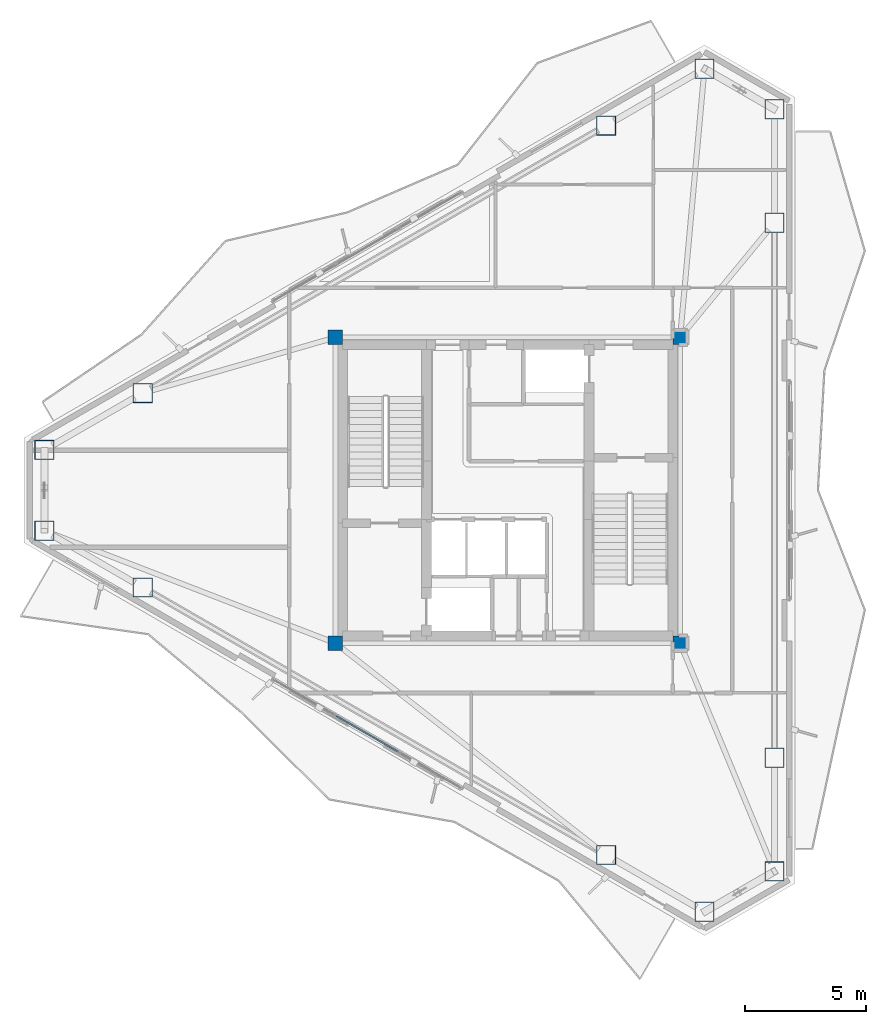
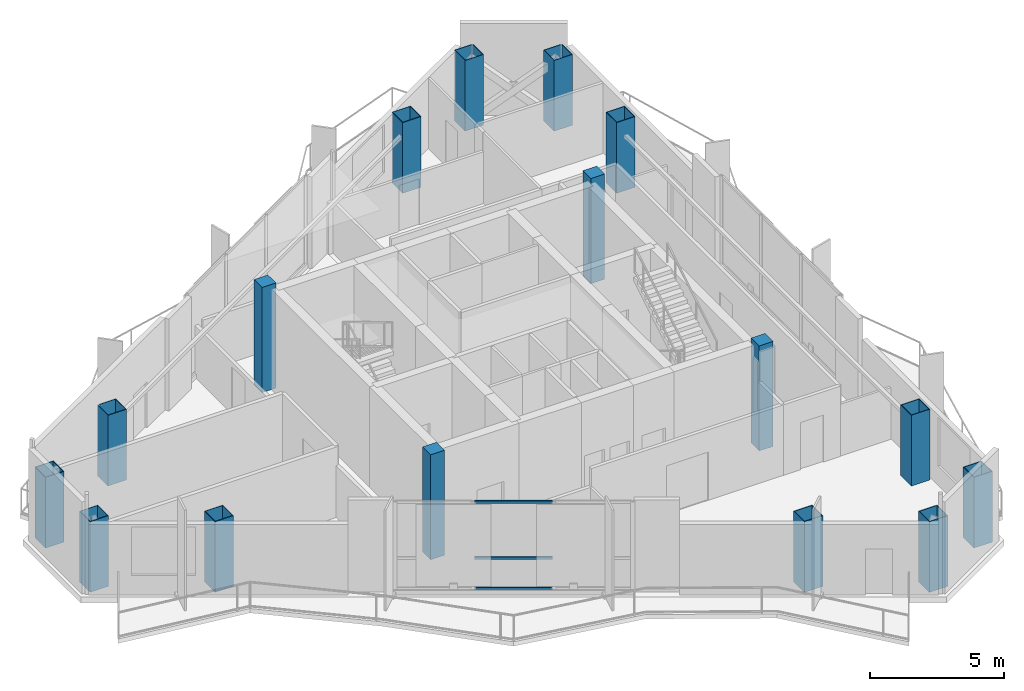
# One storey, part 1 of 15: 16 columns, 3 members, 1 element without a shape of its own.
"""IFC4 building model written with IfcOpenShell, lengths in metres."""

from ifc_helpers import new_model, si_unit, direction, frame, origin, origin_2d, place, context, subcontext, project, spatial, rectangle, hollow_rectangle, extrude, material, layer, layer_set, material_profile, profile_set, type_object, element, aggregate, save


model = new_model("IFC4")

# Units and contexts
model_context = context("Model", 3, precision=1e-05, world=origin(), true_north=direction((0.0, 1.0)))
body_context = subcontext(model_context, "Body", "Model", "MODEL_VIEW")
ifc_project = project(units=[si_unit("LENGTHUNIT", "METRE"), si_unit("AREAUNIT", "SQUARE_METRE"), si_unit("VOLUMEUNIT", "CUBIC_METRE"), si_unit("PLANEANGLEUNIT", "RADIAN"), si_unit("MASSUNIT", "GRAM", prefix="KILO")], contexts=[model_context])

# Site, building, storey
site_placement = place(None, origin())
site = spatial("IfcSite", under=ifc_project, at=site_placement, CompositionType="ELEMENT")
building_placement = place(site_placement, origin())
building = spatial("IfcBuilding", under=site, at=building_placement, Name="Mersakhor Tower and Convention Hall", CompositionType="ELEMENT")
storey_placement = place(building_placement, frame((0.0, 0.0, 218.39990234375)))
storey = spatial("IfcBuildingStorey", under=building, at=storey_placement, Name="L61", CompositionType="ELEMENT", Elevation=218.39990234375)

# Columns
ifc_material_1 = material(Name="Concrete C50/60 in S460M steel box", Category="concrete")
ifc_material_profile_1 = material_profile(ifc_material_1, hollow_rectangle(XDim=0.800048828125, YDim=0.800048828125, WallThickness=0.02490234375, at=origin_2d()), Name="SHS 800x800x25")
ifc_profile_set_1 = profile_set([ifc_material_profile_1], Name="Concrete C50/60 in S460M steel box")
column_type_1 = type_object("IfcColumnType", Name="COL-CFT-800", PredefinedType="COLUMN", material=ifc_profile_set_1)
for number, where, z_axis, x_axis, name in (
    (1, (9.907470703125, 28.415283203125, 0.0), (0.0, 0.0, 1.0), (1.0, 0.0, 0.0), "L61 Perimeter Mega-Column MC-01"),
    (2, (13.959716796875, 30.7548828125, 0.0), (0.0, 0.0, 1.0), (1.0, 0.0, 0.0), "L61 Perimeter Mega-Column MC-02"),
    (3, (33.0517578125, 41.777587890625, 0.0), (0.0, 0.0, 1.0), (1.0, 0.0, 0.0), "L61 Perimeter Mega-Column MC-03"),
    (4, (37.10400390625, 44.1171875, 0.0), (0.0, 0.0, 1.0), (1.0, 0.0, 0.0), "L61 Perimeter Mega-Column MC-04"),
    (5, (39.98828125, 42.451904296875, 0.0), (0.0, 0.0, 1.0), (1.0, 0.0, 0.0), "L61 Perimeter Mega-Column MC-05"),
    (6, (39.98828125, 37.772705078125, 0.0), (0.0, 0.0, 1.0), (1.0, 0.0, 0.0), "L61 Perimeter Mega-Column MC-06"),
    (7, (39.98828125, 15.727294921875, 0.0), (0.0, 0.0, 1.0), (1.0, 0.0, 0.0), "L61 Perimeter Mega-Column MC-07"),
    (8, (39.98828125, 11.048095703125, 0.0), (0.0, 0.0, 1.0), (1.0, 0.0, 0.0), "L61 Perimeter Mega-Column MC-08"),
    (9, (37.10400390625, 9.3828125, 0.0), (0.0, 0.0, 1.0), (1.0, 0.0, 0.0), "L61 Perimeter Mega-Column MC-09"),
    (10, (33.0517578125, 11.722412109375, 0.0), (0.0, 0.0, 1.0), (1.0, 0.0, 0.0), "L61 Perimeter Mega-Column MC-10"),
    (11, (13.959716796875, 22.7451171875, 0.0), (0.0, 0.0, 1.0), (1.0, 0.0, 0.0), "L61 Perimeter Mega-Column MC-11"),
    (12, (9.907470703125, 25.084716796875, 0.0), (0.0, 0.0, 1.0), (1.0, 0.0, 0.0), "L61 Perimeter Mega-Column MC-12"),
):
    element("IfcColumn", number, at=place(storey_placement, frame(where, z_axis=z_axis, x_axis=x_axis)), inside=storey, type_object=column_type_1, Name=name, PredefinedType="COLUMN", context=body_context, shape_type="SweptSolid", body=[
        extrude(hollow_rectangle(XDim=0.800048828125, YDim=0.800048828125, WallThickness=0.02490234375, at=origin_2d()), origin(), (0.0, 0.0, 1.0), 3.22998046875),
    ])
ifc_material_2 = material(Name="Concrete C50/60", Category="concrete")
ifc_material_profile_2 = material_profile(ifc_material_2, rectangle(XDim=0.60009765625, YDim=0.60009765625, at=origin_2d()), Name="RC 600x600")
ifc_profile_set_2 = profile_set([ifc_material_profile_2], Name="Concrete C50/60")
column_type_2 = type_object("IfcColumnType", Name="COL-RC-600", PredefinedType="COLUMN", material=ifc_profile_set_2)
for number, where, z_axis, x_axis, name in (
    (13, (21.89990234375, 20.449951171875, 0.0), (0.0, 0.0, 1.0), (1.0, 0.0, 0.0), "L61 Core Corner Column CC-1"),
    (14, (21.89990234375, 33.050048828125, 0.0), (0.0, 0.0, 1.0), (1.0, 0.0, 0.0), "L61 Core Corner Column CC-2"),
    (15, (36.10009765625, 33.050048828125, 0.0), (0.0, 0.0, 1.0), (1.0, 0.0, 0.0), "L61 Core Corner Column CC-3"),
    (16, (36.10009765625, 20.449951171875, 0.0), (0.0, 0.0, 1.0), (1.0, 0.0, 0.0), "L61 Core Corner Column CC-4"),
):
    element("IfcColumn", number, at=place(storey_placement, frame(where, z_axis=z_axis, x_axis=x_axis)), inside=storey, type_object=column_type_2, Name=name, PredefinedType="COLUMN", context=body_context, shape_type="SweptSolid", body=[
        extrude(rectangle(XDim=0.60009765625, YDim=0.60009765625, at=origin_2d()), origin(), (0.0, 0.0, 1.0), 4.800048828125),
    ])

# Curtain wall, members
ifc_material_3 = material(Name="Dark solar low-E aluminium curtain wall", Category="aluminium")
ifc_layer = layer(ifc_material_3, 0.199951171875)
ifc_layer_set = layer_set([ifc_layer], Name="Dark solar low-E aluminium curtain wall")
curtain_wall_type = type_object("IfcCurtainWallType", Name="CW-SYS-05", PredefinedType="USERDEFINED", material=ifc_layer_set)
curtain_wall_placement = place(storey_placement, origin())
curtain_wall = element("IfcCurtainWall", 17, at=curtain_wall_placement, inside=storey, type_object=curtain_wall_type, Name="L61 Dark-Glass Curtain Wall F3-B2", ObjectType="CURTAIN WALL", PredefinedType="USERDEFINED")
ifc_material_4 = material(Name="Anodised aluminium EN AW-6063 T6", Category="aluminium")
ifc_material_profile_3 = material_profile(ifc_material_4, hollow_rectangle(XDim=0.06005859375, YDim=0.1201171875, WallThickness=0.0048828125, at=origin_2d()), Name="RHS 120x60x5")
ifc_profile_set_3 = profile_set([ifc_material_profile_3], Name="Anodised aluminium EN AW-6063 T6")
member_type = type_object("IfcMemberType", Name="CWT-120x60", PredefinedType="USERDEFINED", material=ifc_profile_set_3)
member_1_placement = place(storey_placement, frame((24.469970703125, 15.984130859375, 0.22998046875), z_axis=(-0.865990618459, 0.500060245112, 0.0), x_axis=(-0.500060245112, -0.865990618459, 0.0)))
member_1 = element("IfcMember", 18, at=member_1_placement, type_object=member_type, Name="CW-05 transom 2.1", ObjectType="TRANSOM", PredefinedType="USERDEFINED", context=body_context, shape_type="SweptSolid", body=[
    extrude(hollow_rectangle(XDim=0.06005859375, YDim=0.1201171875, WallThickness=0.0048828125, at=origin_2d()), origin(), (0.0, 0.0, 1.0), 2.919677734375),
])
member_2_placement = place(storey_placement, frame((24.469970703125, 15.984130859375, 1.6201171875), z_axis=(-0.865990618459, 0.500060245112, 0.0), x_axis=(-0.500060245112, -0.865990618459, 0.0)))
member_2 = element("IfcMember", 19, at=member_2_placement, type_object=member_type, Name="CW-05 transom 2.2", ObjectType="TRANSOM", PredefinedType="USERDEFINED", context=body_context, shape_type="SweptSolid", body=[
    extrude(hollow_rectangle(XDim=0.06005859375, YDim=0.1201171875, WallThickness=0.0048828125, at=origin_2d()), origin(), (0.0, 0.0, 1.0), 2.919677734375),
])
member_3_placement = place(storey_placement, frame((24.469970703125, 15.984130859375, 4.170166015625), z_axis=(-0.865990618459, 0.500060245112, 0.0), x_axis=(-0.500060245112, -0.865990618459, 0.0)))
member_3 = element("IfcMember", 20, at=member_3_placement, type_object=member_type, Name="CW-05 transom 2.3", ObjectType="TRANSOM", PredefinedType="USERDEFINED", context=body_context, shape_type="SweptSolid", body=[
    extrude(hollow_rectangle(XDim=0.06005859375, YDim=0.1201171875, WallThickness=0.0048828125, at=origin_2d()), origin(), (0.0, 0.0, 1.0), 2.919677734375),
])
aggregate(curtain_wall, [member_1, member_2, member_3])

save(model, "model.ifc")
